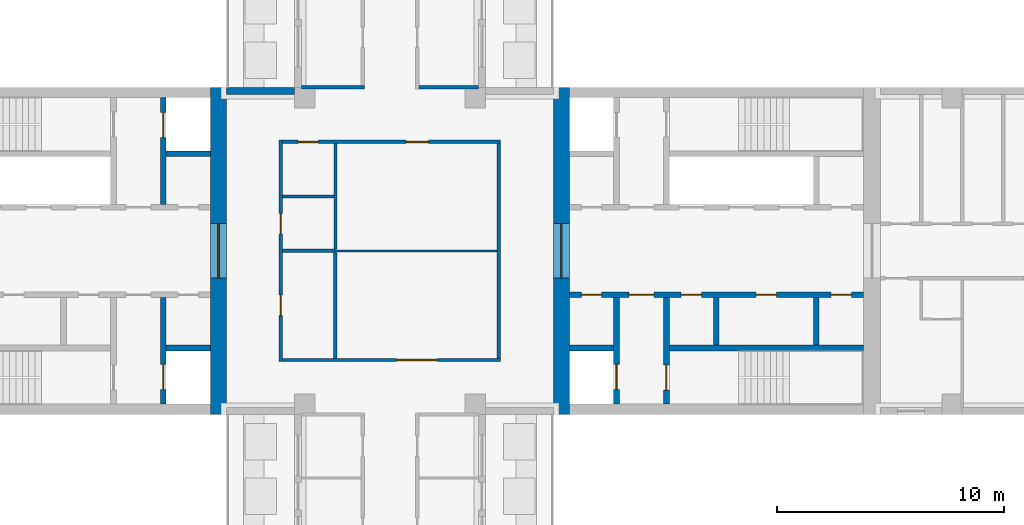
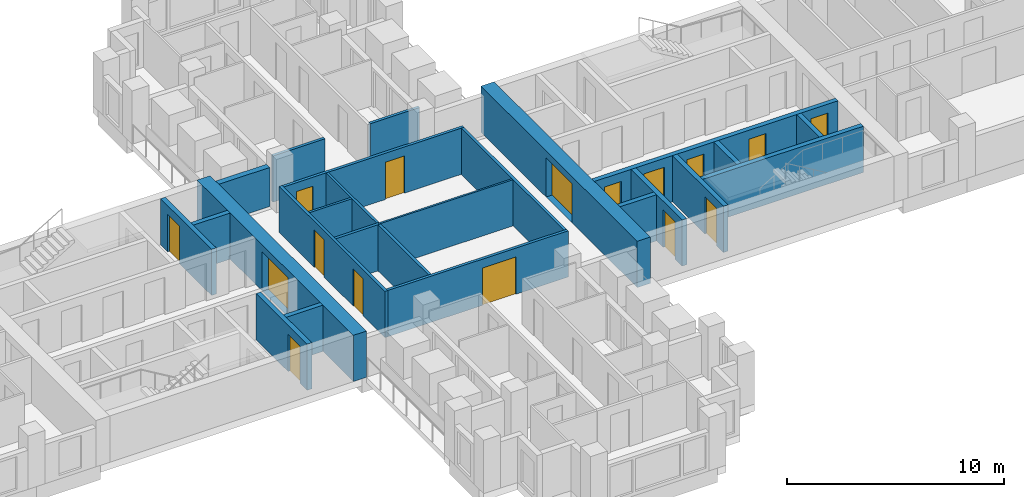
# One storey, part 6 of 12: 25 walls, 16 doors, 16 openings.
"""IFC4 building model written with IfcOpenShell, lengths in metres."""

from ifc_helpers import new_model, si_unit, direction, frame, frame_2d, origin, place, context, subcontext, project, spatial, rectangle, extrude, material, layer, layer_set, type_object, element, fill, save


model = new_model("IFC4")

# Units and contexts
model_context = context("Model", 3, precision=1e-05, world=origin(), true_north=direction((0.0, 1.0)))
body_context = subcontext(model_context, "Body", "Model", "MODEL_VIEW")
ifc_project = project(units=[si_unit("LENGTHUNIT", "METRE"), si_unit("AREAUNIT", "SQUARE_METRE"), si_unit("VOLUMEUNIT", "CUBIC_METRE"), si_unit("PLANEANGLEUNIT", "RADIAN"), si_unit("MASSUNIT", "GRAM", prefix="KILO")], contexts=[model_context])

# Site, building, storey
site_placement = place(None, origin())
site = spatial("IfcSite", under=ifc_project, at=site_placement, CompositionType="ELEMENT")
building_placement = place(site_placement, origin())
building = spatial("IfcBuilding", under=site, at=building_placement, Name="Fustian Cross Tower", CompositionType="ELEMENT")
storey_placement = place(building_placement, frame((0.0, 0.0, 150.300048828125)))
storey = spatial("IfcBuildingStorey", under=building, at=storey_placement, Name="L47", CompositionType="ELEMENT", Elevation=150.300048828125)

# Wall, openings, doors
ifc_material_1 = material(Name="Plasterboard on steel stud", Category="steel")
ifc_layer_1 = layer(ifc_material_1, 0.14990234375)
ifc_layer_set_1 = layer_set([ifc_layer_1], Name="Plasterboard on steel stud")
wall_type_1 = type_object("IfcWallType", Name="COMPARTMENT WALL 150 EI 60", PredefinedType="PARTITIONING", material=ifc_layer_set_1)
wall_1_placement = place(storey_placement, frame((-4.800048828125, -4.875, 0.0), z_axis=(0.0, 0.0, 1.0), x_axis=(0.0, 1.0, 0.0)))
wall_1 = element("IfcWall", 1, at=wall_1_placement, inside=storey, type_object=wall_type_1, Name="Partition 16", PredefinedType="PARTITIONING", context=body_context, shape_type="SweptSolid", body=[
    extrude(rectangle(XDim=9.75, YDim=0.14990234375, at=frame_2d((4.875, 0.0))), origin(), (0.0, 0.0, 1.0), 2.599853515625),
])
opening_1_placement = place(wall_1_placement, frame((5.625, 0.0, 0.0)))
opening_1 = element("IfcOpeningElement", 2, at=opening_1_placement, cuts=wall_1, Name="Opening D21002", PredefinedType="OPENING", context=body_context, shape_type="SweptSolid", body=[
    extrude(rectangle(XDim=0.89990234375, YDim=2.10009765625, at=frame_2d((0.449951171875, 1.050048828125))), frame((0.0, 0.0849609375, 0.0), z_axis=(0.0, -1.0, 0.0), x_axis=(1.0, 0.0, 0.0)), (0.0, 0.0, 1.0), 0.169921875),
])
opening_2_placement = place(wall_1_placement, frame((2.02490234375, 0.0, 0.0)))
opening_2 = element("IfcOpeningElement", 3, at=opening_2_placement, cuts=wall_1, Name="Opening D21003", PredefinedType="OPENING", context=body_context, shape_type="SweptSolid", body=[
    extrude(rectangle(XDim=0.89990234375, YDim=2.10009765625, at=frame_2d((0.449951171875, 1.050048828125))), frame((0.0, 0.0849609375, 0.0), z_axis=(0.0, -1.0, 0.0), x_axis=(1.0, 0.0, 0.0)), (0.0, 0.0, 1.0), 0.169921875),
])
ifc_material_2 = material(Name="Timber fire door set", Category="wood")
door_type_1 = type_object("IfcDoorType", Name="FIRE SWING DOOR 900 FD30S", OperationType="SINGLE_SWING_LEFT", PredefinedType="DOOR", material=ifc_material_2)
door_1_placement = place(opening_1_placement, frame((0.89990234375, 0.0, 0.0), z_axis=(0.0, 0.0, 1.0), x_axis=(-1.0, 0.0, 0.0)))
door_1 = element("IfcDoor", 4, at=door_1_placement, inside=storey, type_object=door_type_1, Name="Door D21002", OperationType="SINGLE_SWING_RIGHT", OverallHeight=2.10009765625, OverallWidth=0.89990234375, PredefinedType="DOOR", context=body_context, shape_type="SweptSolid", body=[
    extrude(rectangle(XDim=0.89990234375, YDim=2.10009765625, at=frame_2d((0.449951171875, 1.050048828125))), frame((0.0, 0.02490234375, 0.0), z_axis=(0.0, -1.0, 0.0), x_axis=(1.0, 0.0, 0.0)), (0.0, 0.0, 1.0), 0.050048828125),
])
fill(opening_1, door_1)
door_2_placement = place(opening_2_placement, frame((0.89990234375, 0.0, 0.0), z_axis=(0.0, 0.0, 1.0), x_axis=(-1.0, 0.0, 0.0)))
door_2 = element("IfcDoor", 5, at=door_2_placement, inside=storey, type_object=door_type_1, Name="Door D21003", OperationType="SINGLE_SWING_RIGHT", OverallHeight=2.10009765625, OverallWidth=0.89990234375, PredefinedType="DOOR", context=body_context, shape_type="SweptSolid", body=[
    extrude(rectangle(XDim=0.89990234375, YDim=2.10009765625, at=frame_2d((0.449951171875, 1.050048828125))), frame((0.0, 0.02490234375, 0.0), z_axis=(0.0, -1.0, 0.0), x_axis=(1.0, 0.0, 0.0)), (0.0, 0.0, 1.0), 0.050048828125),
])
fill(opening_2, door_2)

# Wall, opening, door
wall_2_placement = place(storey_placement, frame((-4.72509765625, -4.800048828125, 0.0), z_axis=(0.0, 0.0, 1.0), x_axis=(1.0, 0.0, 0.0)))
wall_2 = element("IfcWall", 6, at=wall_2_placement, inside=storey, type_object=wall_type_1, Name="Partition 17", PredefinedType="PARTITIONING", context=body_context, shape_type="SweptSolid", body=[
    extrude(rectangle(XDim=9.60009765625, YDim=0.14990234375, at=frame_2d((4.800048828125, 0.0))), origin(), (0.0, 0.0, 1.0), 2.599853515625),
])
opening_3_placement = place(wall_2_placement, frame((5.02490234375, 0.0, 0.0)))
opening_3 = element("IfcOpeningElement", 7, at=opening_3_placement, cuts=wall_2, Name="Opening D21005", PredefinedType="OPENING", context=body_context, shape_type="SweptSolid", body=[
    extrude(rectangle(XDim=1.800048828125, YDim=2.10009765625, at=frame_2d((0.89990234375, 1.050048828125))), frame((0.0, 0.0849609375, 0.0), z_axis=(0.0, -1.0, 0.0), x_axis=(1.0, 0.0, 0.0)), (0.0, 0.0, 1.0), 0.169921875),
])
ifc_material_3 = material(Name="Timber fire door set", Category="wood")
door_type_2 = type_object("IfcDoorType", Name="FIRE DOUBLE DOOR 1800 FD30S", OperationType="DOUBLE_DOOR_DOUBLE_SWING", PredefinedType="DOOR", material=ifc_material_3)
door_3_placement = place(opening_3_placement, frame((1.800048828125, 0.0, 0.0), z_axis=(0.0, 0.0, 1.0), x_axis=(-1.0, 0.0, 0.0)))
door_3 = element("IfcDoor", 8, at=door_3_placement, inside=storey, type_object=door_type_2, Name="Door D21005", OperationType="DOUBLE_DOOR_DOUBLE_SWING", OverallHeight=2.10009765625, OverallWidth=1.800048828125, PredefinedType="DOOR", context=body_context, shape_type="SweptSolid", body=[
    extrude(rectangle(XDim=1.800048828125, YDim=2.10009765625, at=frame_2d((0.89990234375, 1.050048828125))), frame((0.0, 0.02490234375, 0.0), z_axis=(0.0, -1.0, 0.0), x_axis=(1.0, 0.0, 0.0)), (0.0, 0.0, 1.0), 0.050048828125),
])
fill(opening_3, door_3)

# Wall
wall_3_placement = place(storey_placement, frame((-4.72509765625, 0.0, 0.0), z_axis=(0.0, 0.0, 1.0), x_axis=(1.0, 0.0, 0.0)))
element("IfcWall", 9, at=wall_3_placement, inside=storey, type_object=wall_type_1, Name="Partition 18", PredefinedType="PARTITIONING", context=body_context, shape_type="SweptSolid", body=[
    extrude(rectangle(XDim=2.3251953125, YDim=0.14990234375, at=frame_2d((1.16259765625, 0.0))), origin(), (0.0, 0.0, 1.0), 2.599853515625),
])

# Wall, openings, doors
wall_4_placement = place(storey_placement, frame((-4.72509765625, 4.800048828125, 0.0), z_axis=(0.0, 0.0, 1.0), x_axis=(1.0, 0.0, 0.0)))
wall_4 = element("IfcWall", 10, at=wall_4_placement, inside=storey, type_object=wall_type_1, Name="Partition 20", PredefinedType="PARTITIONING", context=body_context, shape_type="SweptSolid", body=[
    extrude(rectangle(XDim=9.60009765625, YDim=0.14990234375, at=frame_2d((4.800048828125, 0.0))), origin(), (0.0, 0.0, 1.0), 2.599853515625),
])
opening_4_placement = place(wall_4_placement, frame((0.675048828125, 0.0, 0.0)))
opening_4 = element("IfcOpeningElement", 11, at=opening_4_placement, cuts=wall_4, Name="Opening D21001", PredefinedType="OPENING", context=body_context, shape_type="SweptSolid", body=[
    extrude(rectangle(XDim=0.89990234375, YDim=2.10009765625, at=frame_2d((0.449951171875, 1.050048828125))), frame((0.0, 0.0849609375, 0.0), z_axis=(0.0, -1.0, 0.0), x_axis=(1.0, 0.0, 0.0)), (0.0, 0.0, 1.0), 0.169921875),
])
opening_5_placement = place(wall_4_placement, frame((5.425048828125, 0.0, 0.0)))
opening_5 = element("IfcOpeningElement", 12, at=opening_5_placement, cuts=wall_4, Name="Opening D21004", PredefinedType="OPENING", context=body_context, shape_type="SweptSolid", body=[
    extrude(rectangle(XDim=1.0, YDim=2.10009765625, at=frame_2d((0.5, 1.050048828125))), frame((0.0, 0.0849609375, 0.0), z_axis=(0.0, -1.0, 0.0), x_axis=(1.0, 0.0, 0.0)), (0.0, 0.0, 1.0), 0.169921875),
])
ifc_material_4 = material(Name="Timber fire door set", Category="wood")
door_type_3 = type_object("IfcDoorType", Name="FIRE SWING DOOR 1000 FD30S", OperationType="SINGLE_SWING_LEFT", PredefinedType="DOOR", material=ifc_material_4)
door_4_placement = place(opening_5_placement, frame((1.0, 0.0, 0.0), z_axis=(0.0, 0.0, 1.0), x_axis=(-1.0, 0.0, 0.0)))
door_4 = element("IfcDoor", 13, at=door_4_placement, inside=storey, type_object=door_type_3, Name="Door D21004", OperationType="SINGLE_SWING_RIGHT", OverallHeight=2.10009765625, OverallWidth=1.0, PredefinedType="DOOR", context=body_context, shape_type="SweptSolid", body=[
    extrude(rectangle(XDim=1.0, YDim=2.10009765625, at=frame_2d((0.5, 1.050048828125))), frame((0.0, 0.02490234375, 0.0), z_axis=(0.0, -1.0, 0.0), x_axis=(1.0, 0.0, 0.0)), (0.0, 0.0, 1.0), 0.050048828125),
])
fill(opening_5, door_4)
door_5_placement = place(opening_4_placement, frame((0.89990234375, 0.0, 0.0), z_axis=(0.0, 0.0, 1.0), x_axis=(-1.0, 0.0, 0.0)))
door_5 = element("IfcDoor", 14, at=door_5_placement, inside=storey, type_object=door_type_1, Name="Door D21001", OperationType="SINGLE_SWING_RIGHT", OverallHeight=2.10009765625, OverallWidth=0.89990234375, PredefinedType="DOOR", context=body_context, shape_type="SweptSolid", body=[
    extrude(rectangle(XDim=0.89990234375, YDim=2.10009765625, at=frame_2d((0.449951171875, 1.050048828125))), frame((0.0, 0.02490234375, 0.0), z_axis=(0.0, -1.0, 0.0), x_axis=(1.0, 0.0, 0.0)), (0.0, 0.0, 1.0), 0.050048828125),
])
fill(opening_4, door_5)

# Walls
wall_5_placement = place(storey_placement, frame((-3.89990234375, 7.199951171875, 0.0), z_axis=(0.0, 0.0, 1.0), x_axis=(1.0, 0.0, 0.0)))
element("IfcWall", 15, at=wall_5_placement, inside=storey, type_object=wall_type_1, Name="Partition 24", PredefinedType="PARTITIONING", context=body_context, shape_type="SweptSolid", body=[
    extrude(rectangle(XDim=2.77490234375, YDim=0.14990234375, at=frame_2d((1.387451171875, 0.0))), origin(), (0.0, 0.0, 1.0), 2.599853515625),
])
wall_6_placement = place(storey_placement, frame((-2.39990234375, -4.72509765625, 0.0), z_axis=(0.0, 0.0, 1.0), x_axis=(0.0, 1.0, 0.0)))
element("IfcWall", 16, at=wall_6_placement, inside=storey, type_object=wall_type_1, Name="Partition 33", PredefinedType="PARTITIONING", context=body_context, shape_type="SweptSolid", body=[
    extrude(rectangle(XDim=4.650146484375, YDim=0.14990234375, at=frame_2d((2.3251953125, 0.0))), origin(), (0.0, 0.0, 1.0), 2.599853515625),
])
wall_7_placement = place(storey_placement, frame((1.27490234375, 7.199951171875, 0.0), z_axis=(0.0, 0.0, 1.0), x_axis=(1.0, 0.0, 0.0)))
element("IfcWall", 17, at=wall_7_placement, inside=storey, type_object=wall_type_1, Name="Partition 47", PredefinedType="PARTITIONING", context=body_context, shape_type="SweptSolid", body=[
    extrude(rectangle(XDim=2.625, YDim=0.14990234375, at=frame_2d((1.3125, 0.0))), origin(), (0.0, 0.0, 1.0), 2.599853515625),
])
wall_8_placement = place(storey_placement, frame((4.800048828125, -4.72509765625, 0.0), z_axis=(0.0, 0.0, 1.0), x_axis=(0.0, 1.0, 0.0)))
element("IfcWall", 18, at=wall_8_placement, inside=storey, type_object=wall_type_1, Name="Partition 54", PredefinedType="PARTITIONING", context=body_context, shape_type="SweptSolid", body=[
    extrude(rectangle(XDim=9.4501953125, YDim=0.14990234375, at=frame_2d((4.72509765625, 0.0))), origin(), (0.0, 0.0, 1.0), 2.599853515625),
])

# Wall, opening, door
ifc_material_5 = material(Name="Concrete C60/75", Category="concrete")
ifc_layer_2 = layer(ifc_material_5, 0.699951171875)
ifc_layer_set_2 = layer_set([ifc_layer_2], Name="Concrete C60/75")
wall_type_2 = type_object("IfcWallType", Name="CORE END WALL 700 C60/75", PredefinedType="SHEAR", material=ifc_layer_set_2)
wall_9_placement = place(storey_placement, frame((7.550048828125, -7.199951171875, 0.0), z_axis=(0.0, 0.0, 1.0), x_axis=(0.0, 1.0, 0.0)))
wall_9 = element("IfcWall", 19, at=wall_9_placement, inside=storey, type_object=wall_type_2, Name="Core end wall", PredefinedType="SHEAR", context=body_context, shape_type="SweptSolid", body=[
    extrude(rectangle(XDim=14.39990234375, YDim=0.699951171875, at=frame_2d((7.199951171875, 0.0))), origin(), (0.0, 0.0, 1.0), 2.599853515625),
])
opening_6_placement = place(wall_9_placement, frame((6.0, 0.0, 0.0)))
opening_6 = element("IfcOpeningElement", 20, at=opening_6_placement, cuts=wall_9, Name="Opening CD-16-12", PredefinedType="OPENING", context=body_context, shape_type="SweptSolid", body=[
    extrude(rectangle(XDim=2.39990234375, YDim=2.199951171875, at=frame_2d((1.199951171875, 1.10009765625))), frame((0.0, 0.35986328125, 0.0), z_axis=(0.0, -1.0, 0.0), x_axis=(1.0, 0.0, 0.0)), (0.0, 0.0, 1.0), 0.719970703125),
])
ifc_material_6 = material(Name="Steel", Category="steel")
door_type_4 = type_object("IfcDoorType", Name="FIRE DOOR FD30S DOUBLE 2400X2200", OperationType="DOUBLE_DOOR_DOUBLE_SWING", PredefinedType="DOOR", material=ifc_material_6)
door_6_placement = place(opening_6_placement, origin())
door_6 = element("IfcDoor", 21, at=door_6_placement, inside=storey, type_object=door_type_4, Name="Core door CD-16-12", OperationType="DOUBLE_DOOR_DOUBLE_SWING", OverallHeight=2.199951171875, OverallWidth=2.39990234375, PredefinedType="DOOR", context=body_context, shape_type="SweptSolid", body=[
    extrude(rectangle(XDim=2.39990234375, YDim=2.199951171875, at=frame_2d((1.199951171875, 1.10009765625))), frame((0.0, 0.02490234375, 0.0), z_axis=(0.0, -1.0, 0.0), x_axis=(1.0, 0.0, 0.0)), (0.0, 0.0, 1.0), 0.050048828125),
])
fill(opening_6, door_6)

wall_10_placement = place(storey_placement, frame((-7.550048828125, -7.199951171875, 0.0), z_axis=(0.0, 0.0, 1.0), x_axis=(0.0, 1.0, 0.0)))
wall_10 = element("IfcWall", 22, at=wall_10_placement, inside=storey, type_object=wall_type_2, Name="Core end wall", PredefinedType="SHEAR", context=body_context, shape_type="SweptSolid", body=[
    extrude(rectangle(XDim=14.39990234375, YDim=0.699951171875, at=frame_2d((7.199951171875, 0.0))), origin(), (0.0, 0.0, 1.0), 2.599853515625),
])
opening_7_placement = place(wall_10_placement, frame((6.0, 0.0, 0.0)))
opening_7 = element("IfcOpeningElement", 23, at=opening_7_placement, cuts=wall_10, Name="Opening CD-16-29", PredefinedType="OPENING", context=body_context, shape_type="SweptSolid", body=[
    extrude(rectangle(XDim=2.39990234375, YDim=2.199951171875, at=frame_2d((1.199951171875, 1.10009765625))), frame((0.0, 0.35986328125, 0.0), z_axis=(0.0, -1.0, 0.0), x_axis=(1.0, 0.0, 0.0)), (0.0, 0.0, 1.0), 0.719970703125),
])
door_7_placement = place(opening_7_placement, origin())
door_7 = element("IfcDoor", 24, at=door_7_placement, inside=storey, type_object=door_type_4, Name="Core door CD-16-29", OperationType="DOUBLE_DOOR_DOUBLE_SWING", OverallHeight=2.199951171875, OverallWidth=2.39990234375, PredefinedType="DOOR", context=body_context, shape_type="SweptSolid", body=[
    extrude(rectangle(XDim=2.39990234375, YDim=2.199951171875, at=frame_2d((1.199951171875, 1.10009765625))), frame((0.0, 0.02490234375, 0.0), z_axis=(0.0, -1.0, 0.0), x_axis=(1.0, 0.0, 0.0)), (0.0, 0.0, 1.0), 0.050048828125),
])
fill(opening_7, door_7)

# Wall, openings, doors
ifc_material_7 = material(Name="Concrete C50/60", Category="concrete")
ifc_layer_3 = layer(ifc_material_7, 0.25)
ifc_layer_set_3 = layer_set([ifc_layer_3], Name="Concrete C50/60")
wall_type_3 = type_object("IfcWallType", Name="CORE LOBBY WALL 250 C50/60", PredefinedType="SHEAR", material=ifc_layer_set_3)
wall_11_placement = place(storey_placement, frame((7.89990234375, -1.925048828125, 0.0), z_axis=(0.0, 0.0, 1.0), x_axis=(1.0, 0.0, 0.0)))
wall_11 = element("IfcWall", 25, at=wall_11_placement, inside=storey, type_object=wall_type_3, Name="Core lobby wall", PredefinedType="SHEAR", context=body_context, shape_type="SweptSolid", body=[
    extrude(rectangle(XDim=12.9501953125, YDim=0.25, at=frame_2d((6.47509765625, 0.0))), origin(), (0.0, 0.0, 1.0), 2.599853515625),
])
opening_8_placement = place(wall_11_placement, frame((0.52490234375, 0.0, 0.0)))
opening_8 = element("IfcOpeningElement", 26, at=opening_8_placement, cuts=wall_11, Name="Opening CD-16-09", PredefinedType="OPENING", context=body_context, shape_type="SweptSolid", body=[
    extrude(rectangle(XDim=0.89990234375, YDim=2.10009765625, at=frame_2d((0.449951171875, 1.050048828125))), frame((0.0, 0.135009765625, 0.0), z_axis=(0.0, -1.0, 0.0), x_axis=(1.0, 0.0, 0.0)), (0.0, 0.0, 1.0), 0.27001953125),
])
opening_9_placement = place(wall_11_placement, frame((2.625, 0.0, 0.0)))
opening_9 = element("IfcOpeningElement", 27, at=opening_9_placement, cuts=wall_11, Name="Opening CD-16-11", PredefinedType="OPENING", context=body_context, shape_type="SweptSolid", body=[
    extrude(rectangle(XDim=1.10009765625, YDim=2.10009765625, at=frame_2d((0.550048828125, 1.050048828125))), frame((0.0, 0.135009765625, 0.0), z_axis=(0.0, -1.0, 0.0), x_axis=(1.0, 0.0, 0.0)), (0.0, 0.0, 1.0), 0.27001953125),
])
opening_10_placement = place(wall_11_placement, frame((4.925048828125, 0.0, 0.0)))
opening_10 = element("IfcOpeningElement", 28, at=opening_10_placement, cuts=wall_11, Name="Opening CD-16-15", PredefinedType="OPENING", context=body_context, shape_type="SweptSolid", body=[
    extrude(rectangle(XDim=0.89990234375, YDim=2.10009765625, at=frame_2d((0.449951171875, 1.050048828125))), frame((0.0, 0.135009765625, 0.0), z_axis=(0.0, -1.0, 0.0), x_axis=(1.0, 0.0, 0.0)), (0.0, 0.0, 1.0), 0.27001953125),
])
opening_11_placement = place(wall_11_placement, frame((8.22509765625, 0.0, 0.0)))
opening_11 = element("IfcOpeningElement", 29, at=opening_11_placement, cuts=wall_11, Name="Opening CD-16-16", PredefinedType="OPENING", context=body_context, shape_type="SweptSolid", body=[
    extrude(rectangle(XDim=0.89990234375, YDim=2.10009765625, at=frame_2d((0.449951171875, 1.050048828125))), frame((0.0, 0.135009765625, 0.0), z_axis=(0.0, -1.0, 0.0), x_axis=(1.0, 0.0, 0.0)), (0.0, 0.0, 1.0), 0.27001953125),
])
opening_12_placement = place(wall_11_placement, frame((11.52490234375, 0.0, 0.0)))
opening_12 = element("IfcOpeningElement", 30, at=opening_12_placement, cuts=wall_11, Name="Opening CD-16-17", PredefinedType="OPENING", context=body_context, shape_type="SweptSolid", body=[
    extrude(rectangle(XDim=0.89990234375, YDim=2.10009765625, at=frame_2d((0.449951171875, 1.050048828125))), frame((0.0, 0.135009765625, 0.0), z_axis=(0.0, -1.0, 0.0), x_axis=(1.0, 0.0, 0.0)), (0.0, 0.0, 1.0), 0.27001953125),
])
ifc_material_8 = material(Name="Steel", Category="steel")
door_type_5 = type_object("IfcDoorType", Name="FIRE DOOR FD30S 1100X2100", OperationType="SINGLE_SWING_LEFT", PredefinedType="DOOR", material=ifc_material_8)
door_8_placement = place(opening_9_placement, frame((1.10009765625, 0.0, 0.0), z_axis=(0.0, 0.0, 1.0), x_axis=(-1.0, 0.0, 0.0)))
door_8 = element("IfcDoor", 31, at=door_8_placement, inside=storey, type_object=door_type_5, Name="Core door CD-16-11", OperationType="SINGLE_SWING_RIGHT", OverallHeight=2.10009765625, OverallWidth=1.10009765625, PredefinedType="DOOR", context=body_context, shape_type="SweptSolid", body=[
    extrude(rectangle(XDim=1.10009765625, YDim=2.10009765625, at=frame_2d((0.550048828125, 1.050048828125))), frame((0.0, 0.02490234375, 0.0), z_axis=(0.0, -1.0, 0.0), x_axis=(1.0, 0.0, 0.0)), (0.0, 0.0, 1.0), 0.050048828125),
])
fill(opening_9, door_8)
ifc_material_9 = material(Name="Steel", Category="steel")
door_type_6 = type_object("IfcDoorType", Name="FIRE DOOR FD30S 900X2100", OperationType="SINGLE_SWING_LEFT", PredefinedType="DOOR", material=ifc_material_9)
door_9_placement = place(opening_8_placement, frame((0.89990234375, 0.0, 0.0), z_axis=(0.0, 0.0, 1.0), x_axis=(-1.0, 0.0, 0.0)))
door_9 = element("IfcDoor", 32, at=door_9_placement, inside=storey, type_object=door_type_6, Name="Core door CD-16-09", OperationType="SINGLE_SWING_RIGHT", OverallHeight=2.10009765625, OverallWidth=0.89990234375, PredefinedType="DOOR", context=body_context, shape_type="SweptSolid", body=[
    extrude(rectangle(XDim=0.89990234375, YDim=2.10009765625, at=frame_2d((0.449951171875, 1.050048828125))), frame((0.0, 0.02490234375, 0.0), z_axis=(0.0, -1.0, 0.0), x_axis=(1.0, 0.0, 0.0)), (0.0, 0.0, 1.0), 0.050048828125),
])
fill(opening_8, door_9)
door_10_placement = place(opening_10_placement, frame((0.89990234375, 0.0, 0.0), z_axis=(0.0, 0.0, 1.0), x_axis=(-1.0, 0.0, 0.0)))
door_10 = element("IfcDoor", 33, at=door_10_placement, inside=storey, type_object=door_type_6, Name="Core door CD-16-15", OperationType="SINGLE_SWING_RIGHT", OverallHeight=2.10009765625, OverallWidth=0.89990234375, PredefinedType="DOOR", context=body_context, shape_type="SweptSolid", body=[
    extrude(rectangle(XDim=0.89990234375, YDim=2.10009765625, at=frame_2d((0.449951171875, 1.050048828125))), frame((0.0, 0.02490234375, 0.0), z_axis=(0.0, -1.0, 0.0), x_axis=(1.0, 0.0, 0.0)), (0.0, 0.0, 1.0), 0.050048828125),
])
fill(opening_10, door_10)
door_11_placement = place(opening_11_placement, frame((0.89990234375, 0.0, 0.0), z_axis=(0.0, 0.0, 1.0), x_axis=(-1.0, 0.0, 0.0)))
door_11 = element("IfcDoor", 34, at=door_11_placement, inside=storey, type_object=door_type_6, Name="Core door CD-16-16", OperationType="SINGLE_SWING_LEFT", OverallHeight=2.10009765625, OverallWidth=0.89990234375, PredefinedType="DOOR", context=body_context, shape_type="SweptSolid", body=[
    extrude(rectangle(XDim=0.89990234375, YDim=2.10009765625, at=frame_2d((0.449951171875, 1.050048828125))), frame((0.0, 0.02490234375, 0.0), z_axis=(0.0, -1.0, 0.0), x_axis=(1.0, 0.0, 0.0)), (0.0, 0.0, 1.0), 0.050048828125),
])
fill(opening_11, door_11)
door_12_placement = place(opening_12_placement, frame((0.89990234375, 0.0, 0.0), z_axis=(0.0, 0.0, 1.0), x_axis=(-1.0, 0.0, 0.0)))
door_12 = element("IfcDoor", 35, at=door_12_placement, inside=storey, type_object=door_type_6, Name="Core door CD-16-17", OperationType="SINGLE_SWING_RIGHT", OverallHeight=2.10009765625, OverallWidth=0.89990234375, PredefinedType="DOOR", context=body_context, shape_type="SweptSolid", body=[
    extrude(rectangle(XDim=0.89990234375, YDim=2.10009765625, at=frame_2d((0.449951171875, 1.050048828125))), frame((0.0, 0.02490234375, 0.0), z_axis=(0.0, -1.0, 0.0), x_axis=(1.0, 0.0, 0.0)), (0.0, 0.0, 1.0), 0.050048828125),
])
fill(opening_12, door_12)

# Walls
ifc_material_10 = material(Name="Concrete C50/60", Category="concrete")
ifc_layer_4 = layer(ifc_material_10, 0.25)
ifc_layer_set_4 = layer_set([ifc_layer_4], Name="Concrete C50/60")
wall_type_4 = type_object("IfcWallType", Name="CORE SHAFT WALL 250 C50/60", PredefinedType="SHEAR", material=ifc_layer_set_4)
wall_12_placement = place(storey_placement, frame((7.89990234375, -4.27490234375, 0.0), z_axis=(0.0, 0.0, 1.0), x_axis=(1.0, 0.0, 0.0)))
element("IfcWall", 36, at=wall_12_placement, inside=storey, type_object=wall_type_4, Name="Core shaft wall", PredefinedType="SHEAR", context=body_context, shape_type="SweptSolid", body=[
    extrude(rectangle(XDim=1.9501953125, YDim=0.25, at=frame_2d((0.97509765625, 0.0))), origin(), (0.0, 0.0, 1.0), 2.599853515625),
])
wall_13_placement = place(storey_placement, frame((12.300048828125, -4.27490234375, 0.0), z_axis=(0.0, 0.0, 1.0), x_axis=(1.0, 0.0, 0.0)))
element("IfcWall", 37, at=wall_13_placement, inside=storey, type_object=wall_type_4, Name="Core shaft wall", PredefinedType="SHEAR", context=body_context, shape_type="SweptSolid", body=[
    extrude(rectangle(XDim=8.550048828125, YDim=0.25, at=frame_2d((4.27490234375, 0.0))), origin(), (0.0, 0.0, 1.0), 2.599853515625),
])

# Wall, opening, door
wall_14_placement = place(storey_placement, frame((9.97509765625, -2.050048828125, 0.0), z_axis=(0.0, 0.0, 1.0), x_axis=(0.0, -1.0, 0.0)))
wall_14 = element("IfcWall", 38, at=wall_14_placement, inside=storey, type_object=wall_type_4, Name="Core shaft wall", PredefinedType="SHEAR", context=body_context, shape_type="SweptSolid", body=[
    extrude(rectangle(XDim=4.699951171875, YDim=0.25, at=frame_2d((2.35009765625, 0.0))), origin(), (0.0, 0.0, 1.0), 2.599853515625),
])
opening_13_placement = place(wall_14_placement, frame((2.949951171875, 0.0, 0.0)))
opening_13 = element("IfcOpeningElement", 39, at=opening_13_placement, cuts=wall_14, Name="Opening LD", PredefinedType="OPENING", context=body_context, shape_type="SweptSolid", body=[
    extrude(rectangle(XDim=1.10009765625, YDim=2.10009765625, at=frame_2d((0.550048828125, 1.050048828125))), frame((0.0, 0.135009765625, 0.0), z_axis=(0.0, -1.0, 0.0), x_axis=(1.0, 0.0, 0.0)), (0.0, 0.0, 1.0), 0.27001953125),
])
ifc_material_11 = material(Name="Stainless steel", Category="steel")
door_type_7 = type_object("IfcDoorType", Name="LIFT LANDING DOOR 1100X2100", OperationType="SLIDING_TO_LEFT", PredefinedType="DOOR", material=ifc_material_11)
door_13_placement = place(opening_13_placement, origin())
door_13 = element("IfcDoor", 40, at=door_13_placement, inside=storey, type_object=door_type_7, Name="Landing door SV1", OperationType="SLIDING_TO_LEFT", OverallHeight=2.10009765625, OverallWidth=1.10009765625, PredefinedType="DOOR", context=body_context, shape_type="SweptSolid", body=[
    extrude(rectangle(XDim=1.10009765625, YDim=2.10009765625, at=frame_2d((0.550048828125, 1.050048828125))), frame((0.0, 0.02490234375, 0.0), z_axis=(0.0, -1.0, 0.0), x_axis=(1.0, 0.0, 0.0)), (0.0, 0.0, 1.0), 0.050048828125),
])
fill(opening_13, door_13)

wall_15_placement = place(storey_placement, frame((12.175048828125, -2.050048828125, 0.0), z_axis=(0.0, 0.0, 1.0), x_axis=(0.0, -1.0, 0.0)))
wall_15 = element("IfcWall", 41, at=wall_15_placement, inside=storey, type_object=wall_type_4, Name="Core shaft wall", PredefinedType="SHEAR", context=body_context, shape_type="SweptSolid", body=[
    extrude(rectangle(XDim=4.699951171875, YDim=0.25, at=frame_2d((2.35009765625, 0.0))), origin(), (0.0, 0.0, 1.0), 2.599853515625),
])
opening_14_placement = place(wall_15_placement, frame((2.97509765625, 0.0, 0.0)))
opening_14 = element("IfcOpeningElement", 42, at=opening_14_placement, cuts=wall_15, Name="Opening CD-16-07", PredefinedType="OPENING", context=body_context, shape_type="SweptSolid", body=[
    extrude(rectangle(XDim=1.10009765625, YDim=2.10009765625, at=frame_2d((0.550048828125, 1.050048828125))), frame((0.0, 0.135009765625, 0.0), z_axis=(0.0, -1.0, 0.0), x_axis=(1.0, 0.0, 0.0)), (0.0, 0.0, 1.0), 0.27001953125),
])
ifc_material_12 = material(Name="Steel", Category="steel")
door_type_8 = type_object("IfcDoorType", Name="FIRE DOOR FD60S 1100X2100", OperationType="SINGLE_SWING_LEFT", PredefinedType="DOOR", material=ifc_material_12)
door_14_placement = place(opening_14_placement, origin())
door_14 = element("IfcDoor", 43, at=door_14_placement, inside=storey, type_object=door_type_8, Name="Core door CD-16-07", OperationType="SINGLE_SWING_LEFT", OverallHeight=2.10009765625, OverallWidth=1.10009765625, PredefinedType="DOOR", context=body_context, shape_type="SweptSolid", body=[
    extrude(rectangle(XDim=1.10009765625, YDim=2.10009765625, at=frame_2d((0.550048828125, 1.050048828125))), frame((0.0, 0.02490234375, 0.0), z_axis=(0.0, -1.0, 0.0), x_axis=(1.0, 0.0, 0.0)), (0.0, 0.0, 1.0), 0.050048828125),
])
fill(opening_14, door_14)

# Wall
wall_16_placement = place(storey_placement, frame((-7.89990234375, 4.27490234375, 0.0), z_axis=(0.0, 0.0, 1.0), x_axis=(-1.0, 0.0, 0.0)))
element("IfcWall", 44, at=wall_16_placement, inside=storey, type_object=wall_type_4, Name="Core shaft wall", PredefinedType="SHEAR", context=body_context, shape_type="SweptSolid", body=[
    extrude(rectangle(XDim=1.9501953125, YDim=0.25, at=frame_2d((0.97509765625, 0.0))), origin(), (0.0, 0.0, 1.0), 2.599853515625),
])

# Wall, opening, door
wall_17_placement = place(storey_placement, frame((-9.97509765625, 2.050048828125, 0.0), z_axis=(0.0, 0.0, 1.0), x_axis=(0.0, 1.0, 0.0)))
wall_17 = element("IfcWall", 45, at=wall_17_placement, inside=storey, type_object=wall_type_4, Name="Core shaft wall", PredefinedType="SHEAR", context=body_context, shape_type="SweptSolid", body=[
    extrude(rectangle(XDim=4.699951171875, YDim=0.25, at=frame_2d((2.35009765625, 0.0))), origin(), (0.0, 0.0, 1.0), 2.599853515625),
])
opening_15_placement = place(wall_17_placement, frame((2.949951171875, 0.0, 0.0)))
opening_15 = element("IfcOpeningElement", 46, at=opening_15_placement, cuts=wall_17, Name="Opening LD", PredefinedType="OPENING", context=body_context, shape_type="SweptSolid", body=[
    extrude(rectangle(XDim=1.10009765625, YDim=2.10009765625, at=frame_2d((0.550048828125, 1.050048828125))), frame((0.0, 0.135009765625, 0.0), z_axis=(0.0, -1.0, 0.0), x_axis=(1.0, 0.0, 0.0)), (0.0, 0.0, 1.0), 0.27001953125),
])
door_15_placement = place(opening_15_placement, origin())
door_15 = element("IfcDoor", 47, at=door_15_placement, inside=storey, type_object=door_type_7, Name="Landing door FL1W", OperationType="SLIDING_TO_LEFT", OverallHeight=2.10009765625, OverallWidth=1.10009765625, PredefinedType="DOOR", context=body_context, shape_type="SweptSolid", body=[
    extrude(rectangle(XDim=1.10009765625, YDim=2.10009765625, at=frame_2d((0.550048828125, 1.050048828125))), frame((0.0, 0.02490234375, 0.0), z_axis=(0.0, -1.0, 0.0), x_axis=(1.0, 0.0, 0.0)), (0.0, 0.0, 1.0), 0.050048828125),
])
fill(opening_15, door_15)

# Wall
wall_18_placement = place(storey_placement, frame((-7.89990234375, -4.27490234375, 0.0), z_axis=(0.0, 0.0, 1.0), x_axis=(-1.0, 0.0, 0.0)))
element("IfcWall", 48, at=wall_18_placement, inside=storey, type_object=wall_type_4, Name="Core shaft wall", PredefinedType="SHEAR", context=body_context, shape_type="SweptSolid", body=[
    extrude(rectangle(XDim=1.9501953125, YDim=0.25, at=frame_2d((0.97509765625, 0.0))), origin(), (0.0, 0.0, 1.0), 2.599853515625),
])

# Wall, opening, door
wall_19_placement = place(storey_placement, frame((-9.97509765625, -2.050048828125, 0.0), z_axis=(0.0, 0.0, 1.0), x_axis=(0.0, -1.0, 0.0)))
wall_19 = element("IfcWall", 49, at=wall_19_placement, inside=storey, type_object=wall_type_4, Name="Core shaft wall", PredefinedType="SHEAR", context=body_context, shape_type="SweptSolid", body=[
    extrude(rectangle(XDim=4.699951171875, YDim=0.25, at=frame_2d((2.35009765625, 0.0))), origin(), (0.0, 0.0, 1.0), 2.599853515625),
])
opening_16_placement = place(wall_19_placement, frame((2.949951171875, 0.0, 0.0)))
opening_16 = element("IfcOpeningElement", 50, at=opening_16_placement, cuts=wall_19, Name="Opening LD", PredefinedType="OPENING", context=body_context, shape_type="SweptSolid", body=[
    extrude(rectangle(XDim=1.10009765625, YDim=2.10009765625, at=frame_2d((0.550048828125, 1.050048828125))), frame((0.0, 0.135009765625, 0.0), z_axis=(0.0, -1.0, 0.0), x_axis=(1.0, 0.0, 0.0)), (0.0, 0.0, 1.0), 0.27001953125),
])
door_16_placement = place(opening_16_placement, origin())
door_16 = element("IfcDoor", 51, at=door_16_placement, inside=storey, type_object=door_type_7, Name="Landing door SV1W", OperationType="SLIDING_TO_LEFT", OverallHeight=2.10009765625, OverallWidth=1.10009765625, PredefinedType="DOOR", context=body_context, shape_type="SweptSolid", body=[
    extrude(rectangle(XDim=1.10009765625, YDim=2.10009765625, at=frame_2d((0.550048828125, 1.050048828125))), frame((0.0, 0.02490234375, 0.0), z_axis=(0.0, -1.0, 0.0), x_axis=(1.0, 0.0, 0.0)), (0.0, 0.0, 1.0), 0.050048828125),
])
fill(opening_16, door_16)

# Walls
ifc_material_13 = material(Name="Plasterboard on steel stud", Category="steel")
ifc_layer_5 = layer(ifc_material_13, 0.10009765625)
ifc_layer_set_5 = layer_set([ifc_layer_5], Name="Plasterboard on steel stud")
wall_type_5 = type_object("IfcWallType", Name="PARTITION 100 STUD", PredefinedType="PARTITIONING", material=ifc_layer_set_5)
wall_20_placement = place(storey_placement, frame((-2.39990234375, 0.0, 0.0), z_axis=(0.0, 0.0, 1.0), x_axis=(1.0, 0.0, 0.0)))
element("IfcWall", 52, at=wall_20_placement, inside=storey, type_object=wall_type_5, Name="Partition 35", PredefinedType="PARTITIONING", context=body_context, shape_type="SweptSolid", body=[
    extrude(rectangle(XDim=7.125, YDim=0.10009765625, at=frame_2d((3.5625, 0.0))), origin(), (0.0, 0.0, 1.0), 2.599853515625),
])
ifc_material_14 = material(Name="Concrete C40/50", Category="concrete")
ifc_layer_6 = layer(ifc_material_14, 0.25)
ifc_layer_set_6 = layer_set([ifc_layer_6], Name="Concrete C40/50")
wall_type_6 = type_object("IfcWallType", Name="SHAFT PARTITION WALL 250 C40/50", PredefinedType="PARTITIONING", material=ifc_layer_set_6)
for number, where, z_axis, x_axis, name in (
    (53, (14.375, -2.050048828125, 0.0), (0.0, 0.0, 1.0), (0.0, -1.0, 0.0), "Core shaft wall"),
    (54, (18.77490234375, -2.050048828125, 0.0), (0.0, 0.0, 1.0), (0.0, -1.0, 0.0), "Core shaft wall"),
):
    element("IfcWall", number, at=place(storey_placement, frame(where, z_axis=z_axis, x_axis=x_axis)), inside=storey, type_object=wall_type_6, Name=name, PredefinedType="PARTITIONING", context=body_context, shape_type="SweptSolid", body=[
        extrude(rectangle(XDim=2.099853515625, YDim=0.25, at=frame_2d((1.0498046875, 0.0))), origin(), (0.0, 0.0, 1.0), 2.599853515625),
    ])
ifc_material_15 = material(Name="Plasterboard on steel stud", Category="steel")
ifc_layer_7 = layer(ifc_material_15, 0.125)
ifc_layer_set_7 = layer_set([ifc_layer_7], Name="Plasterboard on steel stud")
wall_type_7 = type_object("IfcWallType", Name="WET WALL 125 STUD", PredefinedType="PARTITIONING", material=ifc_layer_set_7)
wall_21_placement = place(storey_placement, frame((-4.72509765625, 2.39990234375, 0.0), z_axis=(0.0, 0.0, 1.0), x_axis=(1.0, 0.0, 0.0)))
element("IfcWall", 55, at=wall_21_placement, inside=storey, type_object=wall_type_7, Name="Partition 19", PredefinedType="PARTITIONING", context=body_context, shape_type="SweptSolid", body=[
    extrude(rectangle(XDim=2.2626953125, YDim=0.125, at=frame_2d((1.13134765625, 0.0))), origin(), (0.0, 0.0, 1.0), 2.599853515625),
])
wall_22_placement = place(storey_placement, frame((-2.39990234375, 0.074951171875, 0.0), z_axis=(0.0, 0.0, 1.0), x_axis=(0.0, 1.0, 0.0)))
element("IfcWall", 56, at=wall_22_placement, inside=storey, type_object=wall_type_7, Name="Partition 34", PredefinedType="PARTITIONING", context=body_context, shape_type="SweptSolid", body=[
    extrude(rectangle(XDim=4.650146484375, YDim=0.125, at=frame_2d((2.3251953125, 0.0))), origin(), (0.0, 0.0, 1.0), 2.599853515625),
])
ifc_material_16 = material(Name="Dark aluminium cladding on insulated backing wall", Category="aluminium")
ifc_layer_8 = layer(ifc_material_16, 0.300048828125)
ifc_layer_set_8 = layer_set([ifc_layer_8], Name="Dark aluminium cladding on insulated backing wall")
wall_type_8 = type_object("IfcWallType", Name="XW1 EXTERNAL WALL 300", PredefinedType="SOLIDWALL", material=ifc_layer_set_8)
wall_23_placement = place(storey_placement, frame((-4.199951171875, 7.050048828125, 0.0), z_axis=(0.0, 0.0, 1.0), x_axis=(-1.0, 0.0, 0.0)))
element("IfcWall", 57, at=wall_23_placement, inside=storey, type_object=wall_type_8, Name="External wall", PredefinedType="SOLIDWALL", context=body_context, shape_type="SweptSolid", body=[
    extrude(rectangle(XDim=3.0, YDim=0.300048828125, at=frame_2d((1.5, 0.0))), origin(), (0.0, 0.0, 1.0), 2.199951171875),
])

save(model, "model.ifc")
